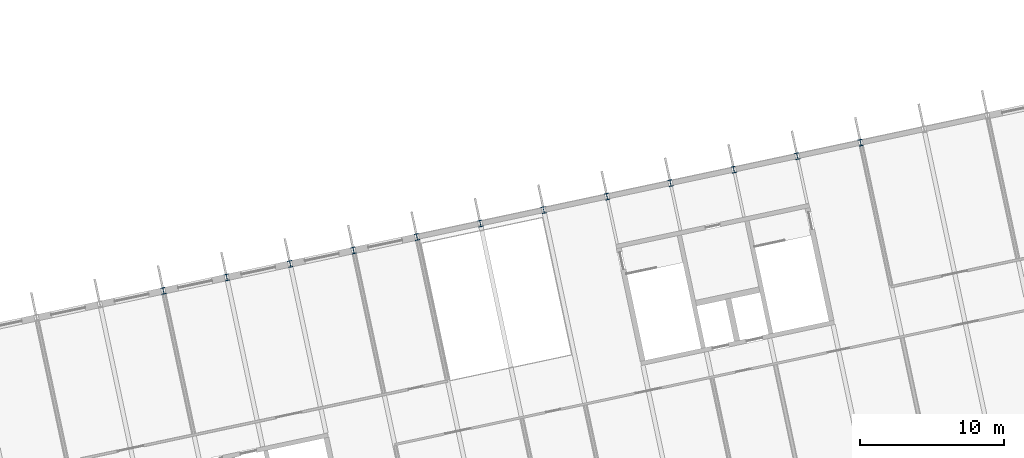
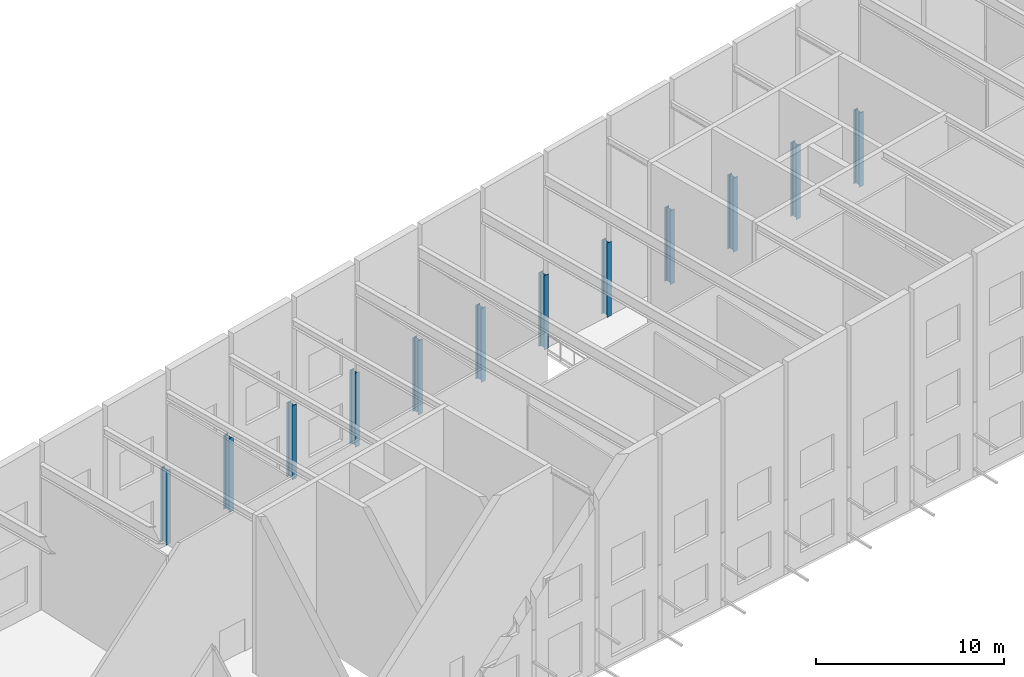
# One storey, part 8 of 69: 12 columns.
"""IFC4 building model written with IfcOpenShell, lengths in metres."""

from ifc_helpers import new_model, si_unit, direction, frame, origin, origin_2d, place, context, subcontext, project, spatial, i_section, extrude, material, material_profile, profile_set, type_object, element, save


model = new_model("IFC4")

# Units and contexts
model_context = context("Model", 3, precision=1e-05, world=origin(), true_north=direction((0.0, 1.0)))
body_context = subcontext(model_context, "Body", "Model", "MODEL_VIEW")
ifc_project = project(units=[si_unit("LENGTHUNIT", "METRE"), si_unit("AREAUNIT", "SQUARE_METRE"), si_unit("VOLUMEUNIT", "CUBIC_METRE"), si_unit("PLANEANGLEUNIT", "RADIAN"), si_unit("MASSUNIT", "GRAM", prefix="KILO")], contexts=[model_context])

# Site, building, storey
site_placement = place(None, origin())
site = spatial("IfcSite", under=ifc_project, at=site_placement, CompositionType="ELEMENT")
building_placement = place(site_placement, origin())
building = spatial("IfcBuilding", under=site, at=building_placement, Name="Okhra Congress Centre", CompositionType="ELEMENT")
storey_placement = place(building_placement, frame((0.0, 0.0, 16.800048828125)))
storey = spatial("IfcBuildingStorey", under=building, at=storey_placement, Name="L03", CompositionType="ELEMENT", Elevation=16.800048828125)

# Columns
ifc_material = material(Name="Steel S355J2", Category="steel")
ifc_material_profile = material_profile(ifc_material, i_section(OverallWidth=0.300048828125, OverallDepth=0.449951171875, WebThickness=0.013916015625, FlangeThickness=0.02587890625, FilletRadius=0.027099609375, at=origin_2d()), Name="HE 450 B")
ifc_profile_set = profile_set([ifc_material_profile], Name="Steel S355J2")
column_type = type_object("IfcColumnType", Name="Steel post HE 450 B", PredefinedType="COLUMN", material=ifc_profile_set)
for number, where, z_axis, x_axis, name in (
    (1, (135.2509765625, 67.125732421875, 0.0), (0.0, 0.0, 1.0), (0.978147600734, 0.207911690818, 0.0), "Post N19"),
    (2, (139.65283203125, 68.061279296875, 0.0), (0.0, 0.0, 1.0), (0.978147600734, 0.207911690818, 0.0), "Post N20"),
    (3, (144.054443359375, 68.996826171875, 0.0), (0.0, 0.0, 1.0), (0.978147600734, 0.207911690818, 0.0), "Post N21"),
    (4, (148.4560546875, 69.932373046875, 0.0), (0.0, 0.0, 1.0), (0.978147600734, 0.207911690818, 0.0), "Post N22"),
    (5, (152.857666015625, 70.867919921875, 0.0), (0.0, 0.0, 1.0), (0.978147600734, 0.207911690818, 0.0), "Post N23"),
    (6, (157.25927734375, 71.8037109375, 0.0), (0.0, 0.0, 1.0), (0.978147600734, 0.207911690818, 0.0), "Post N24"),
    (7, (161.6611328125, 72.7392578125, 0.0), (0.0, 0.0, 1.0), (0.978147600734, 0.207911690818, 0.0), "Post N25"),
    (8, (166.062744140625, 73.6748046875, 0.0), (0.0, 0.0, 1.0), (0.978147600734, 0.207911690818, 0.0), "Post N26"),
    (9, (170.46435546875, 74.6103515625, 0.0), (0.0, 0.0, 1.0), (0.978147600734, 0.207911690818, 0.0), "Post N27"),
    (10, (174.865966796875, 75.546142578125, 0.0), (0.0, 0.0, 1.0), (0.978147600734, 0.207911690818, 0.0), "Post N28"),
    (11, (179.267822265625, 76.481689453125, 0.0), (0.0, 0.0, 1.0), (0.978147600734, 0.207911690818, 0.0), "Post N29"),
    (12, (183.66943359375, 77.417236328125, 0.0), (0.0, 0.0, 1.0), (0.978147600734, 0.207911690818, 0.0), "Post N30"),
):
    element("IfcColumn", number, at=place(storey_placement, frame(where, z_axis=z_axis, x_axis=x_axis)), inside=storey, type_object=column_type, Name=name, PredefinedType="COLUMN", context=body_context, shape_type="SweptSolid", body=[
        extrude(i_section(OverallWidth=0.300048828125, OverallDepth=0.449951171875, WebThickness=0.013916015625, FlangeThickness=0.02587890625, FilletRadius=0.027099609375, at=origin_2d()), origin(), (0.0, 0.0, 1.0), 4.800048828125),
    ])

save(model, "model.ifc")
